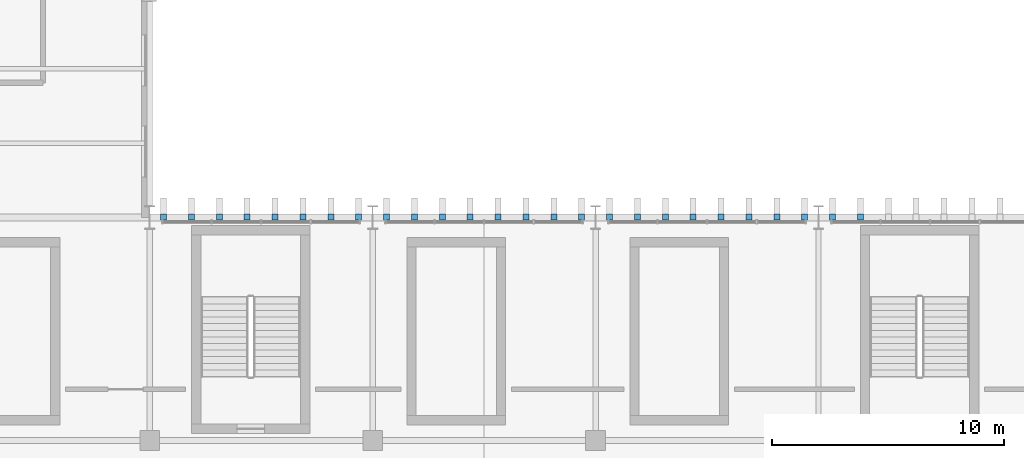
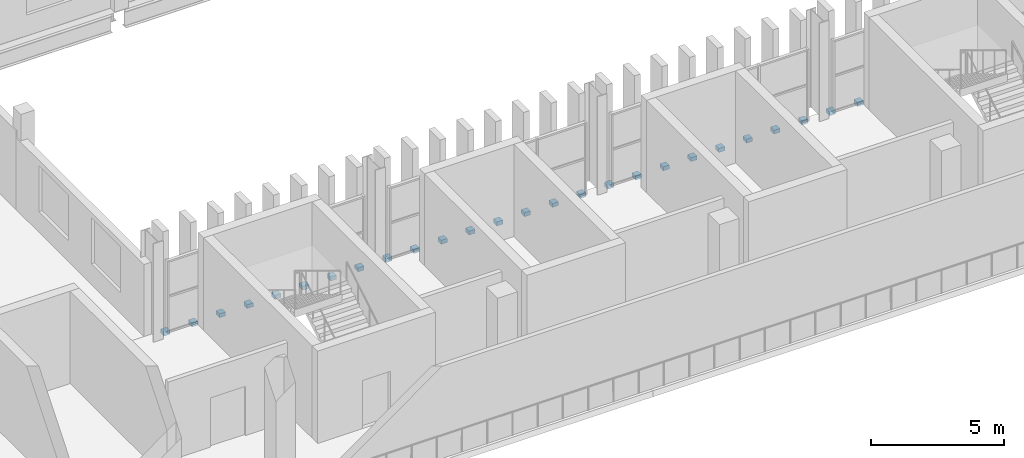
# One storey, part 70 of 92: 26 discrete accessories.
"""IFC4 building model written with IfcOpenShell, lengths in metres."""

from ifc_helpers import new_model, si_unit, direction, frame, origin, origin_2d, place, context, subcontext, project, spatial, rectangle, extrude, material, type_object, element, save


model = new_model("IFC4")

# Units and contexts
model_context = context("Model", 3, precision=1e-05, world=origin(), true_north=direction((0.0, 1.0)))
body_context = subcontext(model_context, "Body", "Model", "MODEL_VIEW")
ifc_project = project(units=[si_unit("LENGTHUNIT", "METRE"), si_unit("AREAUNIT", "SQUARE_METRE"), si_unit("VOLUMEUNIT", "CUBIC_METRE"), si_unit("PLANEANGLEUNIT", "RADIAN"), si_unit("MASSUNIT", "GRAM", prefix="KILO")], contexts=[model_context])

# Site, building, storey
site_placement = place(None, origin())
site = spatial("IfcSite", under=ifc_project, at=site_placement, CompositionType="ELEMENT")
building_placement = place(site_placement, origin())
building = spatial("IfcBuilding", under=site, at=building_placement, Name="Caelomonte Colonnade Arena", CompositionType="ELEMENT")
storey_placement = place(building_placement, frame((0.0, 0.0, 9.60009765625)))
storey = spatial("IfcBuildingStorey", under=building, at=storey_placement, Name="L02", CompositionType="ELEMENT", Elevation=9.60009765625)

# Discrete accessories
ifc_material = material(Name="Steel ASTM A572 Grade 50", Category="steel")
discrete_accessory_type = type_object("IfcDiscreteAccessoryType", Name="ENV-ACC-BRK", PredefinedType="BRACKET", material=ifc_material)
for number, where, z_axis, x_axis, name in (
    (1, (126.60009765625, 115.22998046875, -0.2099609375), (0.0, 0.0, 1.0), (-1.0, 0.0, 0.0), "V1 L02 fin support bracket 106"),
    (2, (125.39990234375, 115.22998046875, -0.2099609375), (0.0, 0.0, 1.0), (-1.0, 0.0, 0.0), "V1 L02 fin support bracket 107"),
    (3, (124.199951171875, 115.22998046875, -0.2099609375), (0.0, 0.0, 1.0), (-1.0, 0.0, 0.0), "V1 L02 fin support bracket 108"),
    (4, (123.0, 115.22998046875, -0.2099609375), (0.0, 0.0, 1.0), (-1.0, 0.0, 0.0), "V1 L02 fin support bracket 109"),
    (5, (121.800048828125, 115.22998046875, -0.2099609375), (0.0, 0.0, 1.0), (-1.0, 0.0, 0.0), "V1 L02 fin support bracket 110"),
    (6, (120.60009765625, 115.22998046875, -0.2099609375), (0.0, 0.0, 1.0), (-1.0, 0.0, 0.0), "V1 L02 fin support bracket 111"),
    (7, (119.39990234375, 115.22998046875, -0.2099609375), (0.0, 0.0, 1.0), (-1.0, 0.0, 0.0), "V1 L02 fin support bracket 112"),
    (8, (118.199951171875, 115.22998046875, -0.2099609375), (0.0, 0.0, 1.0), (-1.0, 0.0, 0.0), "V1 L02 fin support bracket 113"),
    (9, (117.0, 115.22998046875, -0.2099609375), (0.0, 0.0, 1.0), (-1.0, 0.0, 0.0), "V1 L02 fin support bracket 114"),
    (10, (115.800048828125, 115.22998046875, -0.2099609375), (0.0, 0.0, 1.0), (-1.0, 0.0, 0.0), "V1 L02 fin support bracket 115"),
    (11, (114.60009765625, 115.22998046875, -0.2099609375), (0.0, 0.0, 1.0), (-1.0, 0.0, 0.0), "V1 L02 fin support bracket 116"),
    (12, (113.39990234375, 115.22998046875, -0.2099609375), (0.0, 0.0, 1.0), (-1.0, 0.0, 0.0), "V1 L02 fin support bracket 117"),
    (13, (112.199951171875, 115.22998046875, -0.2099609375), (0.0, 0.0, 1.0), (-1.0, 0.0, 0.0), "V1 L02 fin support bracket 118"),
    (14, (111.0, 115.22998046875, -0.2099609375), (0.0, 0.0, 1.0), (-1.0, 0.0, 0.0), "V1 L02 fin support bracket 119"),
    (15, (109.800048828125, 115.22998046875, -0.2099609375), (0.0, 0.0, 1.0), (-1.0, 0.0, 0.0), "V1 L02 fin support bracket 120"),
    (16, (108.60009765625, 115.22998046875, -0.2099609375), (0.0, 0.0, 1.0), (-1.0, 0.0, 0.0), "V1 L02 fin support bracket 121"),
    (17, (107.39990234375, 115.22998046875, -0.2099609375), (0.0, 0.0, 1.0), (-1.0, 0.0, 0.0), "V1 L02 fin support bracket 122"),
    (18, (106.199951171875, 115.22998046875, -0.2099609375), (0.0, 0.0, 1.0), (-1.0, 0.0, 0.0), "V1 L02 fin support bracket 123"),
    (19, (105.0, 115.22998046875, -0.2099609375), (0.0, 0.0, 1.0), (-1.0, 0.0, 0.0), "V1 L02 fin support bracket 124"),
    (20, (103.800048828125, 115.22998046875, -0.2099609375), (0.0, 0.0, 1.0), (-1.0, 0.0, 0.0), "V1 L02 fin support bracket 125"),
    (21, (102.60009765625, 115.22998046875, -0.2099609375), (0.0, 0.0, 1.0), (-1.0, 0.0, 0.0), "V1 L02 fin support bracket 126"),
    (22, (101.39990234375, 115.22998046875, -0.2099609375), (0.0, 0.0, 1.0), (-1.0, 0.0, 0.0), "V1 L02 fin support bracket 127"),
    (23, (100.199951171875, 115.22998046875, -0.2099609375), (0.0, 0.0, 1.0), (-1.0, 0.0, 0.0), "V1 L02 fin support bracket 128"),
    (24, (99.0, 115.22998046875, -0.2099609375), (0.0, 0.0, 1.0), (-1.0, 0.0, 0.0), "V1 L02 fin support bracket 129"),
    (25, (97.800048828125, 115.22998046875, -0.2099609375), (0.0, 0.0, 1.0), (-1.0, 0.0, 0.0), "V1 L02 fin support bracket 130"),
    (26, (96.60009765625, 115.22998046875, -0.2099609375), (0.0, 0.0, 1.0), (-1.0, 0.0, 0.0), "V1 L02 fin support bracket 131"),
):
    element("IfcDiscreteAccessory", number, at=place(storey_placement, frame(where, z_axis=z_axis, x_axis=x_axis)), inside=storey, type_object=discrete_accessory_type, Name=name, PredefinedType="BRACKET", context=body_context, shape_type="SweptSolid", body=[
        extrude(rectangle(XDim=0.260009765625, YDim=0.260009765625, at=origin_2d()), origin(), (0.0, 0.0, 1.0), 0.179931640625),
    ])

save(model, "model.ifc")
